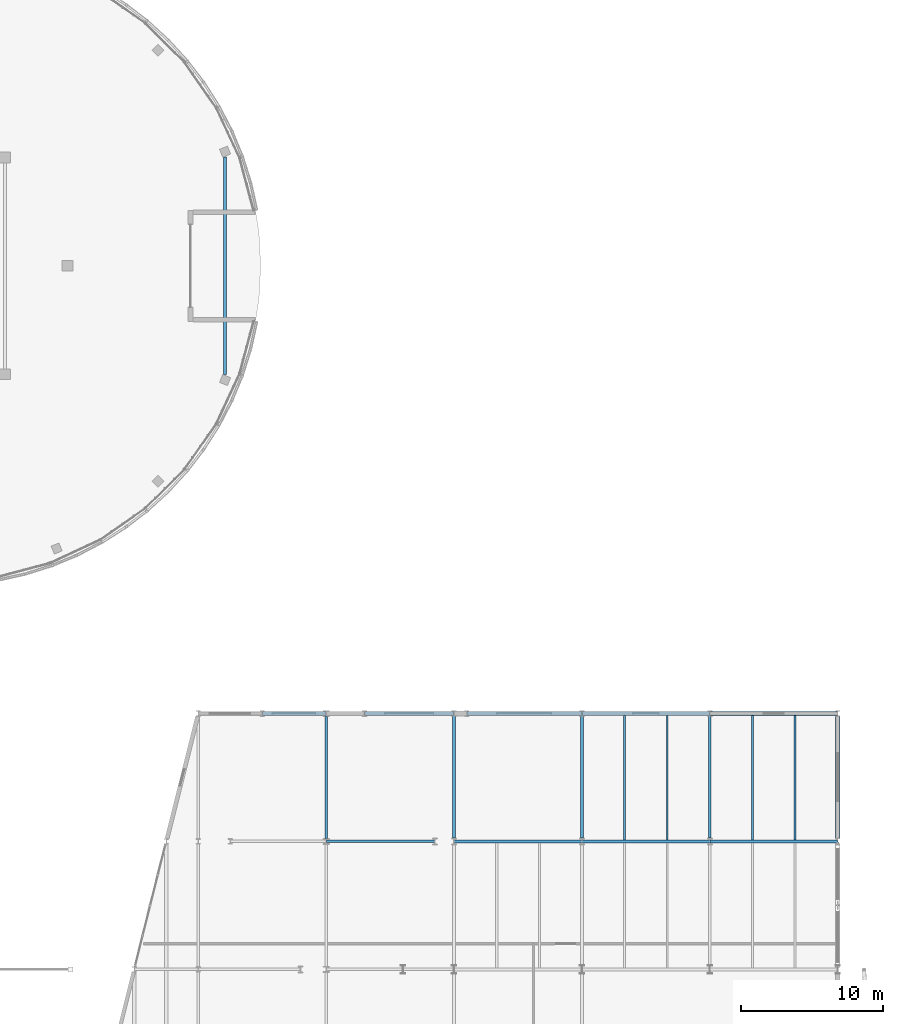
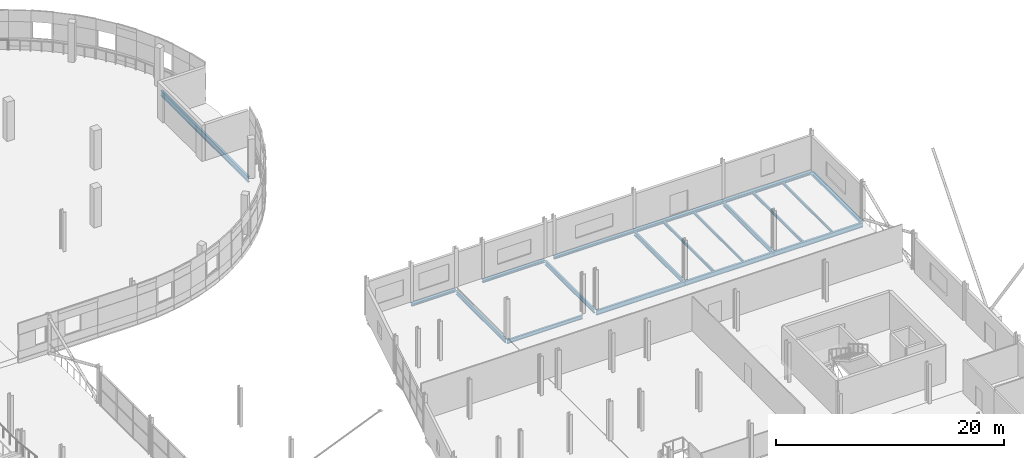
# One storey, part 100 of 140: 19 beams.
"""IFC4 building model written with IfcOpenShell, lengths in metres."""

from ifc_helpers import new_model, si_unit, direction, frame, origin, origin_2d, place, context, subcontext, project, spatial, i_section, extrude, material, material_profile, profile_set, type_object, element, save


model = new_model("IFC4")

# Units and contexts
model_context = context("Model", 3, precision=1e-05, world=origin(), true_north=direction((0.0, 1.0)))
body_context = subcontext(model_context, "Body", "Model", "MODEL_VIEW")
ifc_project = project(units=[si_unit("LENGTHUNIT", "METRE"), si_unit("AREAUNIT", "SQUARE_METRE"), si_unit("VOLUMEUNIT", "CUBIC_METRE"), si_unit("PLANEANGLEUNIT", "RADIAN"), si_unit("MASSUNIT", "GRAM", prefix="KILO")], contexts=[model_context])

# Site, building, storey
site_placement = place(None, origin())
site = spatial("IfcSite", under=ifc_project, at=site_placement, CompositionType="ELEMENT")
building_placement = place(site_placement, origin())
building = spatial("IfcBuilding", under=site, at=building_placement, Name="Deido Ridge Mobility Hub", CompositionType="ELEMENT")
storey_placement = place(building_placement, origin())
storey = spatial("IfcBuildingStorey", under=building, at=storey_placement, Name="L00", CompositionType="ELEMENT", Elevation=0.0)

# Beams
ifc_material = material(Name="Steel S355J2 EN 10025-2", Category="steel")
ifc_material_profile_1 = material_profile(ifc_material, i_section(OverallWidth=0.179931640625, OverallDepth=0.39990234375, WebThickness=0.008544921875, FlangeThickness=0.013427734375, FilletRadius=0.02099609375, at=origin_2d()), Name="IPE 400")
ifc_profile_set_1 = profile_set([ifc_material_profile_1], Name="Steel S355J2 EN 10025-2")
beam_type_1 = type_object("IfcBeamType", Name="BM-IPE400", PredefinedType="BEAM", material=ifc_profile_set_1)
beam_1_placement = place(storey_placement, frame((144.0087890625, 63.0, -0.4599609375), z_axis=(1.0, 0.0, 0.0), x_axis=(0.0, 1.0, 0.0)))
element("IfcBeam", 1, at=beam_1_placement, inside=storey, type_object=beam_type_1, Name="Floor beam B5", PredefinedType="BEAM", context=body_context, shape_type="SweptSolid", body=[
    extrude(i_section(OverallWidth=0.179931640625, OverallDepth=0.39990234375, WebThickness=0.008544921875, FlangeThickness=0.013427734375, FilletRadius=0.02099609375, at=origin_2d()), origin(), (0.0, 0.0, 1.0), 7.63427734375),
])
ifc_material_profile_2 = material_profile(ifc_material, i_section(OverallWidth=0.18994140625, OverallDepth=0.449951171875, WebThickness=0.009521484375, FlangeThickness=0.0146484375, FilletRadius=0.02099609375, at=origin_2d()), Name="IPE 450")
ifc_profile_set_2 = profile_set([ifc_material_profile_2], Name="Steel S355J2 EN 10025-2")
beam_type_2 = type_object("IfcBeamType", Name="BM-IPE450", PredefinedType="BEAM", material=ifc_profile_set_2)
beam_2_placement = place(storey_placement, frame((144.0, 63.196533203125, -0.485107421875), z_axis=(0.0, 1.0, 0.0), x_axis=(-1.0, 0.0, 0.0)))
element("IfcBeam", 2, at=beam_2_placement, inside=storey, type_object=beam_type_2, Name="Floor beam B4", PredefinedType="BEAM", context=body_context, shape_type="SweptSolid", body=[
    extrude(i_section(OverallWidth=0.18994140625, OverallDepth=0.449951171875, WebThickness=0.009521484375, FlangeThickness=0.0146484375, FilletRadius=0.02099609375, at=origin_2d()), origin(), (0.0, 0.0, 1.0), 8.60693359375),
])
for number, where, z_axis, x_axis, name in (
    (3, (153.0, 63.22509765625, -0.485107421875), (0.0, 1.0, 0.0), (-1.0, 0.0, 0.0), "Floor beam B4"),
    (4, (162.0, 63.22509765625, -0.485107421875), (0.0, 1.0, 0.0), (-1.0, 0.0, 0.0), "Floor beam B4"),
    (5, (171.0, 63.22509765625, -0.485107421875), (0.0, 1.0, 0.0), (-1.0, 0.0, 0.0), "Floor beam B4"),
):
    element("IfcBeam", number, at=place(storey_placement, frame(where, z_axis=z_axis, x_axis=x_axis)), inside=storey, type_object=beam_type_2, Name=name, PredefinedType="BEAM", context=body_context, shape_type="SweptSolid", body=[
        extrude(i_section(OverallWidth=0.18994140625, OverallDepth=0.449951171875, WebThickness=0.009521484375, FlangeThickness=0.0146484375, FilletRadius=0.02099609375, at=origin_2d()), origin(), (0.0, 0.0, 1.0), 8.594970703125),
    ])
ifc_material_profile_3 = material_profile(ifc_material, i_section(OverallWidth=0.199951171875, OverallDepth=0.5, WebThickness=0.01025390625, FlangeThickness=0.01611328125, FilletRadius=0.02099609375, at=origin_2d()), Name="IPE 500")
ifc_profile_set_3 = profile_set([ifc_material_profile_3], Name="Steel S355J2 EN 10025-2")
beam_type_3 = type_object("IfcBeamType", Name="BM-IPE500", PredefinedType="BEAM", material=ifc_profile_set_3)
for number, where, z_axis, x_axis, name in (
    (6, (153.007080078125, 63.0, -0.510009765625), (1.0, 0.0, 0.0), (0.0, 1.0, 0.0), "Floor beam B3"),
    (7, (162.007080078125, 63.0, -0.510009765625), (1.0, 0.0, 0.0), (0.0, 1.0, 0.0), "Floor beam B3"),
    (8, (171.007080078125, 63.0, -0.510009765625), (1.0, 0.0, 0.0), (0.0, 1.0, 0.0), "Floor beam B3"),
):
    element("IfcBeam", number, at=place(storey_placement, frame(where, z_axis=z_axis, x_axis=x_axis)), inside=storey, type_object=beam_type_3, Name=name, PredefinedType="BEAM", context=body_context, shape_type="SweptSolid", body=[
        extrude(i_section(OverallWidth=0.199951171875, OverallDepth=0.5, WebThickness=0.01025390625, FlangeThickness=0.01611328125, FilletRadius=0.02099609375, at=origin_2d()), origin(), (0.0, 0.0, 1.0), 8.98583984375),
    ])
ifc_material_profile_4 = material_profile(ifc_material, i_section(OverallWidth=0.219970703125, OverallDepth=0.60009765625, WebThickness=0.011962890625, FlangeThickness=0.01904296875, FilletRadius=0.02392578125, at=origin_2d()), Name="IPE 600")
ifc_profile_set_4 = profile_set([ifc_material_profile_4], Name="Steel S355J2 EN 10025-2")
beam_type_4 = type_object("IfcBeamType", Name="BM-IPE600", PredefinedType="BEAM", material=ifc_profile_set_4)
beam_3_placement = place(storey_placement, frame((136.889892578125, 95.8505859375, -0.56005859375), z_axis=(0.0, 1.0, 0.0), x_axis=(-1.0, 0.0, 0.0)))
element("IfcBeam", 9, at=beam_3_placement, inside=storey, type_object=beam_type_4, Name="Floor beam B1", PredefinedType="BEAM", context=body_context, shape_type="SweptSolid", body=[
    extrude(i_section(OverallWidth=0.219970703125, OverallDepth=0.60009765625, WebThickness=0.011962890625, FlangeThickness=0.01904296875, FilletRadius=0.02392578125, at=origin_2d()), origin(), (0.0, 0.0, 1.0), 15.298828125),
])
ifc_material_profile_5 = material_profile(ifc_material, i_section(OverallWidth=0.135009765625, OverallDepth=0.27001953125, WebThickness=0.006591796875, FlangeThickness=0.01025390625, FilletRadius=0.014892578125, at=origin_2d()), Name="IPE 270")
ifc_profile_set_5 = profile_set([ifc_material_profile_5], Name="Steel S355J2 EN 10025-2")
beam_type_5 = type_object("IfcBeamType", Name="JST-IPE270", PredefinedType="JOIST", material=ifc_profile_set_5)
for number, where, z_axis, x_axis, name in (
    (10, (168.0, 63.10009765625, -0.39501953125), (0.0, 1.0, 0.0), (-1.0, 0.0, 0.0), "Composite joist J4"),
    (11, (177.0, 63.10009765625, -0.39501953125), (0.0, 1.0, 0.0), (-1.0, 0.0, 0.0), "Composite joist J4"),
):
    element("IfcBeam", number, at=place(storey_placement, frame(where, z_axis=z_axis, x_axis=x_axis)), inside=storey, type_object=beam_type_5, Name=name, PredefinedType="JOIST", context=body_context, shape_type="SweptSolid", body=[
        extrude(i_section(OverallWidth=0.135009765625, OverallDepth=0.27001953125, WebThickness=0.006591796875, FlangeThickness=0.01025390625, FilletRadius=0.014892578125, at=origin_2d()), origin(), (0.0, 0.0, 1.0), 8.75),
    ])
ifc_material_profile_6 = material_profile(ifc_material, i_section(OverallWidth=0.14990234375, OverallDepth=0.300048828125, WebThickness=0.007080078125, FlangeThickness=0.0107421875, FilletRadius=0.014892578125, at=origin_2d()), Name="IPE 300")
ifc_profile_set_6 = profile_set([ifc_material_profile_6], Name="Steel S355J2 EN 10025-2")
beam_type_6 = type_object("IfcBeamType", Name="JST-IPE300", PredefinedType="JOIST", material=ifc_profile_set_6)
for number, where, z_axis, x_axis, name in (
    (12, (165.0, 63.10009765625, -0.409912109375), (0.0, 1.0, 0.0), (-1.0, 0.0, 0.0), "Composite joist J3"),
    (13, (174.0, 63.10009765625, -0.409912109375), (0.0, 1.0, 0.0), (-1.0, 0.0, 0.0), "Composite joist J3"),
):
    element("IfcBeam", number, at=place(storey_placement, frame(where, z_axis=z_axis, x_axis=x_axis)), inside=storey, type_object=beam_type_6, Name=name, PredefinedType="JOIST", context=body_context, shape_type="SweptSolid", body=[
        extrude(i_section(OverallWidth=0.14990234375, OverallDepth=0.300048828125, WebThickness=0.007080078125, FlangeThickness=0.0107421875, FilletRadius=0.014892578125, at=origin_2d()), origin(), (0.0, 0.0, 1.0), 8.75),
    ])
ifc_material_profile_7 = material_profile(ifc_material, i_section(OverallWidth=0.280029296875, OverallDepth=0.27001953125, WebThickness=0.008056640625, FlangeThickness=0.012939453125, FilletRadius=0.02392578125, at=origin_2d()), Name="HEA 280")
ifc_profile_set_7 = profile_set([ifc_material_profile_7], Name="Steel S355J2 EN 10025-2")
beam_type_7 = type_object("IfcBeamType", Name="SPD-HEA280", PredefinedType="SPANDREL", material=ifc_profile_set_7)
beam_4_placement = place(storey_placement, frame((139.506103515625, 72.0, -0.39501953125), z_axis=(1.0, 0.0, 0.0), x_axis=(0.0, 1.0, 0.0)))
element("IfcBeam", 14, at=beam_4_placement, inside=storey, type_object=beam_type_7, Name="Floor beam SP2", PredefinedType="SPANDREL", context=body_context, shape_type="SweptSolid", body=[
    extrude(i_section(OverallWidth=0.280029296875, OverallDepth=0.27001953125, WebThickness=0.008056640625, FlangeThickness=0.012939453125, FilletRadius=0.02392578125, at=origin_2d()), origin(), (0.0, 0.0, 1.0), 4.485107421875),
])
beam_5_placement = place(storey_placement, frame((146.706298828125, 72.0, -0.39501953125), z_axis=(1.0, 0.0, 0.0), x_axis=(0.0, 1.0, 0.0)))
element("IfcBeam", 15, at=beam_5_placement, inside=storey, type_object=beam_type_7, Name="Floor beam SP2", PredefinedType="SPANDREL", context=body_context, shape_type="SweptSolid", body=[
    extrude(i_section(OverallWidth=0.280029296875, OverallDepth=0.27001953125, WebThickness=0.008056640625, FlangeThickness=0.012939453125, FilletRadius=0.02392578125, at=origin_2d()), origin(), (0.0, 0.0, 1.0), 6.28759765625),
])
beam_6_placement = place(storey_placement, frame((153.90625, 72.0, -0.39501953125), z_axis=(1.0, 0.0, 0.0), x_axis=(0.0, 1.0, 0.0)))
element("IfcBeam", 16, at=beam_6_placement, inside=storey, type_object=beam_type_7, Name="Floor beam SP2", PredefinedType="SPANDREL", context=body_context, shape_type="SweptSolid", body=[
    extrude(i_section(OverallWidth=0.280029296875, OverallDepth=0.27001953125, WebThickness=0.008056640625, FlangeThickness=0.012939453125, FilletRadius=0.02392578125, at=origin_2d()), origin(), (0.0, 0.0, 1.0), 8.087646484375),
])
ifc_material_profile_8 = material_profile(ifc_material, i_section(OverallWidth=0.300048828125, OverallDepth=0.300048828125, WebThickness=0.010986328125, FlangeThickness=0.01904296875, FilletRadius=0.027099609375, at=origin_2d()), Name="HEB 300")
ifc_profile_set_8 = profile_set([ifc_material_profile_8], Name="Steel S355J2 EN 10025-2")
beam_type_8 = type_object("IfcBeamType", Name="SPD-HEB300", PredefinedType="SPANDREL", material=ifc_profile_set_8)
for number, where, z_axis, x_axis, name in (
    (17, (162.006103515625, 72.0, -0.409912109375), (1.0, 0.0, 0.0), (0.0, 1.0, 0.0), "Floor beam SP1"),
    (18, (171.006103515625, 72.0, -0.409912109375), (1.0, 0.0, 0.0), (0.0, 1.0, 0.0), "Floor beam SP1"),
):
    element("IfcBeam", number, at=place(storey_placement, frame(where, z_axis=z_axis, x_axis=x_axis)), inside=storey, type_object=beam_type_8, Name=name, PredefinedType="SPANDREL", context=body_context, shape_type="SweptSolid", body=[
        extrude(i_section(OverallWidth=0.300048828125, OverallDepth=0.300048828125, WebThickness=0.010986328125, FlangeThickness=0.01904296875, FilletRadius=0.027099609375, at=origin_2d()), origin(), (0.0, 0.0, 1.0), 8.98779296875),
    ])
beam_7_placement = place(storey_placement, frame((180.0, 63.22509765625, -0.409912109375), z_axis=(0.0, 1.0, 0.0), x_axis=(-1.0, 0.0, 0.0)))
element("IfcBeam", 19, at=beam_7_placement, inside=storey, type_object=beam_type_8, Name="Floor beam SP1", PredefinedType="SPANDREL", context=body_context, shape_type="SweptSolid", body=[
    extrude(i_section(OverallWidth=0.300048828125, OverallDepth=0.300048828125, WebThickness=0.010986328125, FlangeThickness=0.01904296875, FilletRadius=0.027099609375, at=origin_2d()), origin(), (0.0, 0.0, 1.0), 8.594970703125),
])

save(model, "model.ifc")
